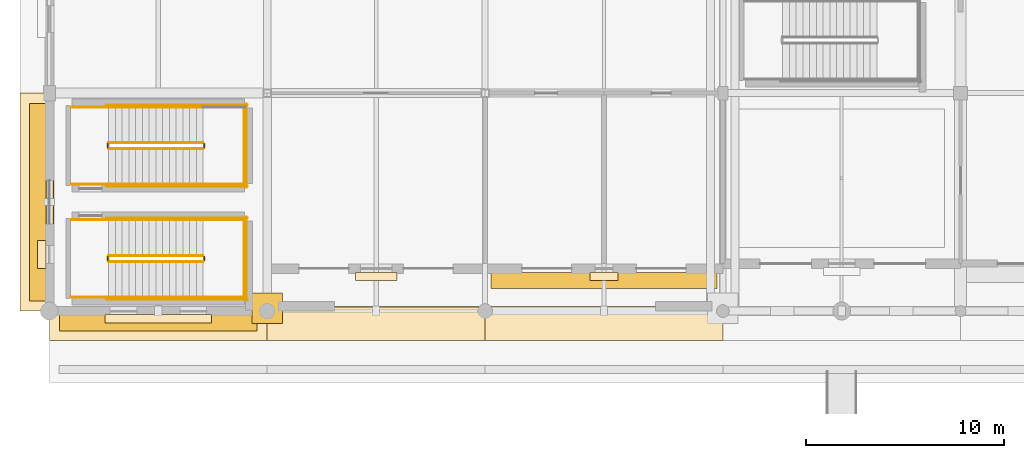
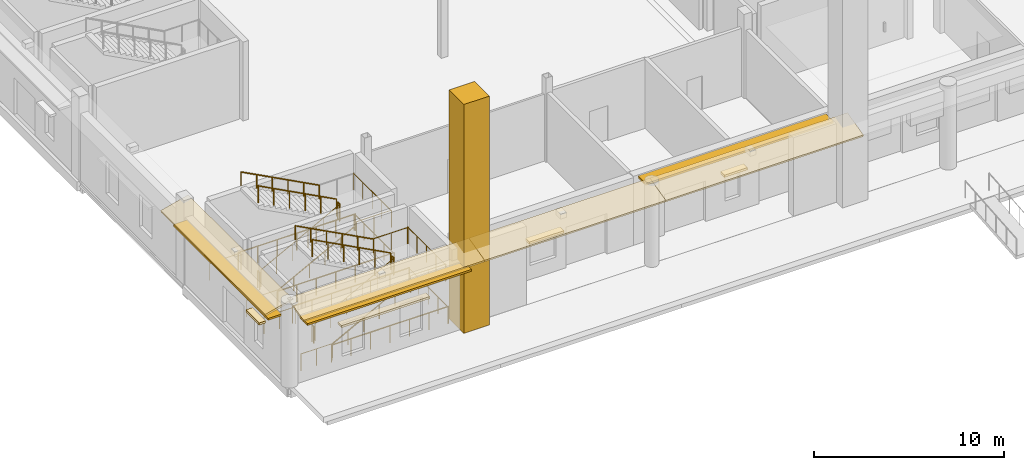
# One storey, part 94 of 120: 27 railings, 9 coverings, 3 shading devices.
"""IFC4 building model written with IfcOpenShell, lengths in metres."""

from ifc_helpers import new_model, si_unit, direction, frame, origin, origin_2d, place, context, subcontext, project, spatial, polyline, rectangle, circle, outline, extrude, material, layer, layer_set, type_object, element, save


model = new_model("IFC4")

# Units and contexts
model_context = context("Model", 3, precision=1e-05, world=origin(), true_north=direction((0.0, 1.0)))
body_context = subcontext(model_context, "Body", "Model", "MODEL_VIEW")
ifc_project = project(units=[si_unit("LENGTHUNIT", "METRE"), si_unit("AREAUNIT", "SQUARE_METRE"), si_unit("VOLUMEUNIT", "CUBIC_METRE"), si_unit("PLANEANGLEUNIT", "RADIAN"), si_unit("MASSUNIT", "GRAM", prefix="KILO")], contexts=[model_context])

# Site, building, storey
site_placement = place(None, origin())
site = spatial("IfcSite", under=ifc_project, at=site_placement, CompositionType="ELEMENT")
building_placement = place(site_placement, origin())
building = spatial("IfcBuilding", under=site, at=building_placement, Name="Luwafu Chhajja Arena", CompositionType="ELEMENT")
storey_placement = place(building_placement, origin())
storey = spatial("IfcBuildingStorey", under=building, at=storey_placement, Name="L00", CompositionType="ELEMENT", Elevation=0.0)

# Coverings
ifc_material_1 = material(Name="Red laterite sandstone cladding", Category="masonry")
ifc_layer_1 = layer(ifc_material_1, 0.074951171875, Name="Red laterite sandstone cladding")
ifc_layer_set_1 = layer_set([ifc_layer_1], Name="Red laterite sandstone cladding")
covering_type = type_object("IfcCoveringType", Name="Dressed Red-Laterite Sandstone Cladding", PredefinedType="CLADDING", material=ifc_layer_set_1)
covering_1_placement = place(storey_placement, frame((11.0, 0.14990234375, 0.0), z_axis=(0.0, 0.0, 1.0), x_axis=(1.0, 0.0, 0.0)))
element("IfcCovering", 1, at=covering_1_placement, inside=storey, type_object=covering_type, Name="Pishtaq W Guldasta Sandstone Corner Pilaster", PredefinedType="CLADDING", context=body_context, shape_type="SweptSolid", body=[
    extrude(rectangle(XDim=1.550048828125, YDim=1.550048828125, at=origin_2d()), origin(), (0.0, 0.0, 1.0), 14.699951171875),
])
covering_2_placement = place(storey_placement, frame((0.0, 0.199951171875, 5.360107421875), z_axis=(0.0, -0.242635142566, 0.970117615339), x_axis=(1.0, 0.0, 0.0)))
element("IfcCovering", 2, at=covering_2_placement, inside=storey, type_object=covering_type, Name="L00 Continuous Sloped Sandstone Chhajja Eave 0001", PredefinedType="CLADDING", context=body_context, shape_type="SweptSolid", body=[
    extrude(outline(polyline([(0.0, 0.0), (11.0, 0.0), (11.0, -1.7316783182390405), (0.0, -1.7316783182390405), (0.0, 0.0)])), origin(), (0.0, 0.0, -1.0), 0.1298828125),
])
covering_3_placement = place(storey_placement, frame((0.199951171875, 0.0, 5.360107421875), z_axis=(-0.242635142566, 0.0, 0.970117615339), x_axis=(0.0, 1.0, 0.0)))
element("IfcCovering", 3, at=covering_3_placement, inside=storey, type_object=covering_type, Name="L00 Continuous Sloped Sandstone Chhajja Eave 0002", PredefinedType="CLADDING", context=body_context, shape_type="SweptSolid", body=[
    extrude(outline(polyline([(0.0, 0.0), (11.0, 0.0), (11.0, 1.7316783182390405), (0.0, 1.7316783182390405), (0.0, 0.0)])), origin(), (0.0, 0.0, -1.0), 0.1298828125),
])
covering_4_placement = place(storey_placement, frame((11.0, 0.199951171875, 5.360107421875), z_axis=(0.0, -0.242635142566, 0.970117615339), x_axis=(1.0, 0.0, 0.0)))
element("IfcCovering", 4, at=covering_4_placement, inside=storey, type_object=covering_type, Name="L00 Continuous Sloped Sandstone Chhajja Eave 0012", PredefinedType="CLADDING", context=body_context, shape_type="SweptSolid", body=[
    extrude(outline(polyline([(0.0, 0.0), (11.0, 0.0), (11.0, -1.7316783182390405), (0.0, -1.7316783182390405), (0.0, 0.0)])), origin(), (0.0, 0.0, -1.0), 0.1298828125),
])
covering_5_placement = place(storey_placement, frame((22.0, 0.199951171875, 5.360107421875), z_axis=(0.0, -0.242635142566, 0.970117615339), x_axis=(1.0, 0.0, 0.0)))
element("IfcCovering", 5, at=covering_5_placement, inside=storey, type_object=covering_type, Name="L00 Continuous Sloped Sandstone Chhajja Eave 0014", PredefinedType="CLADDING", context=body_context, shape_type="SweptSolid", body=[
    extrude(outline(polyline([(0.0, 0.0), (12.0, 0.0), (12.0, -1.7316783182390405), (0.0, -1.7316783182390405), (0.0, 0.0)])), origin(), (0.0, 0.0, -1.0), 0.1298828125),
])
covering_6_placement = place(storey_placement, frame((5.5, -0.385009765625, 2.93017578125), z_axis=(0.0, 0.0, 1.0), x_axis=(1.0, 0.0, 0.0)))
element("IfcCovering", 6, at=covering_6_placement, inside=storey, type_object=covering_type, Name="L00 Mughal Sandstone Window Chhajja Hood 0140", PredefinedType="CLADDING", context=body_context, shape_type="SweptSolid", body=[
    extrude(rectangle(XDim=5.3701171875, YDim=0.419921875, at=origin_2d()), origin(), (0.0, 0.0, 1.0), 0.139892578125),
])
covering_7_placement = place(storey_placement, frame((-0.385009765625, 2.860107421875, 2.6298828125), z_axis=(0.0, 0.0, 1.0), x_axis=(0.0, 1.0, 0.0)))
element("IfcCovering", 7, at=covering_7_placement, inside=storey, type_object=covering_type, Name="L00 Mughal Sandstone Window Chhajja Hood 0141", PredefinedType="CLADDING", context=body_context, shape_type="SweptSolid", body=[
    extrude(rectangle(XDim=1.39990234375, YDim=0.419921875, at=origin_2d()), origin(), (0.0, 0.0, 1.0), 0.139892578125),
])
covering_8_placement = place(storey_placement, frame((16.5, 1.75, 2.580078125), z_axis=(0.0, 0.0, 1.0), x_axis=(1.0, 0.0, 0.0)))
element("IfcCovering", 8, at=covering_8_placement, inside=storey, type_object=covering_type, Name="L00 Mughal Sandstone Window Chhajja Hood 0150", PredefinedType="CLADDING", context=body_context, shape_type="SweptSolid", body=[
    extrude(rectangle(XDim=2.10009765625, YDim=0.419921875, at=origin_2d()), origin(), (0.0, 0.0, 1.0), 0.139892578125),
])
covering_9_placement = place(storey_placement, frame((28.0, 1.75, 2.72998046875), z_axis=(0.0, 0.0, 1.0), x_axis=(1.0, 0.0, 0.0)))
element("IfcCovering", 9, at=covering_9_placement, inside=storey, type_object=covering_type, Name="L00 Mughal Sandstone Window Chhajja Hood 0152", PredefinedType="CLADDING", context=body_context, shape_type="SweptSolid", body=[
    extrude(rectangle(XDim=1.39990234375, YDim=0.419921875, at=origin_2d()), origin(), (0.0, 0.0, 1.0), 0.139892578125),
])

# Shading devices
ifc_material_2 = material(Name="Red laterite sandstone chhajja", Category="masonry")
ifc_layer_2 = layer(ifc_material_2, 0.1201171875, Name="Red laterite sandstone chhajja")
ifc_layer_set_2 = layer_set([ifc_layer_2], Name="Red laterite sandstone chhajja")
shading_device_type = type_object("IfcShadingDeviceType", Name="Sloped Red-Sandstone Chhajja Eave", PredefinedType="USERDEFINED", material=ifc_layer_set_2)
for number, where, z_axis, x_axis, name in (
    (10, (5.5, -0.5849609375, 4.1298828125), (0.0, 0.0, 1.0), (1.0, 0.0, 0.0), "L00 Sloped Red-Sandstone Chhajja Eave 001"),
    (11, (-0.5849609375, 5.5, 4.079833984375), (0.0, 0.0, 1.0), (0.0, 1.0, 0.0), "L00 Sloped Red-Sandstone Chhajja Eave 002"),
):
    element("IfcShadingDevice", number, at=place(storey_placement, frame(where, z_axis=z_axis, x_axis=x_axis)), inside=storey, type_object=shading_device_type, Name=name, ObjectType="CHHAJJA", PredefinedType="USERDEFINED", context=body_context, shape_type="SweptSolid", body=[
        extrude(rectangle(XDim=9.9599609375, YDim=0.820068359375, at=origin_2d()), origin(), (0.0, 0.0, 1.0), 0.1201171875),
    ])
shading_device_placement = place(storey_placement, frame((28.0, 1.550048828125, 4.209716796875), z_axis=(0.0, 0.0, 1.0), x_axis=(1.0, 0.0, 0.0)))
element("IfcShadingDevice", 12, at=shading_device_placement, inside=storey, type_object=shading_device_type, Name="L00 Sloped Red-Sandstone Chhajja Eave 008", ObjectType="CHHAJJA", PredefinedType="USERDEFINED", context=body_context, shape_type="SweptSolid", body=[
    extrude(rectangle(XDim=11.39990234375, YDim=0.820068359375, at=origin_2d()), origin(), (0.0, 0.0, 1.0), 0.1201171875),
])

# Railings
ifc_material_3 = material(Name="Stainless steel handrail", Category="steel")
railing_type_1 = type_object("IfcRailingType", Name="Stair Pitch Wall Handrail 920", PredefinedType="HANDRAIL", material=ifc_material_3)
railing_1_placement = place(storey_placement, frame((3.0, 0.699951171875, 0.179931640625)))
element("IfcRailing", 13, at=railing_1_placement, inside=storey, type_object=railing_type_1, Name="L00 ST-17 stair handrail 1", PredefinedType="HANDRAIL", context=body_context, shape_type="SweptSolid", body=[
    extrude(circle(Radius=0.02392578125, at=origin_2d()), frame((0.0, 0.0, 0.8759765625), z_axis=(0.883786813738, 0.0, 0.467889803119), x_axis=(0.0, 1.0, 0.0)), (0.0, 0.0, 1.0), 5.385986328125),
    extrude(circle(Radius=0.02099609375, at=origin_2d()), origin(), (0.0, 0.0, 1.0), 0.851806640625),
    extrude(circle(Radius=0.02099609375, at=origin_2d()), frame((0.951904296875, 0.0, 0.50390625)), (0.0, 0.0, 1.0), 0.851806640625),
    extrude(circle(Radius=0.02099609375, at=origin_2d()), frame((1.904052734375, 0.0, 1.008056640625)), (0.0, 0.0, 1.0), 0.851806640625),
    extrude(circle(Radius=0.02099609375, at=origin_2d()), frame((2.85595703125, 0.0, 1.511962890625)), (0.0, 0.0, 1.0), 0.851806640625),
    extrude(circle(Radius=0.02099609375, at=origin_2d()), frame((3.80810546875, 0.0, 2.01611328125)), (0.0, 0.0, 1.0), 0.851806640625),
    extrude(circle(Radius=0.02099609375, at=origin_2d()), frame((4.760009765625, 0.0, 2.52001953125)), (0.0, 0.0, 1.0), 0.851806640625),
])
railing_2_placement = place(storey_placement, frame((7.760009765625, 4.60009765625, 2.8798828125)))
element("IfcRailing", 14, at=railing_2_placement, inside=storey, type_object=railing_type_1, Name="L00 ST-17 stair handrail 2", PredefinedType="HANDRAIL", context=body_context, shape_type="SweptSolid", body=[
    extrude(circle(Radius=0.02392578125, at=origin_2d()), frame((0.0, 0.0, 0.8759765625), z_axis=(-0.883786813738, 0.0, 0.467889803119), x_axis=(0.0, -1.0, 0.0)), (0.0, 0.0, 1.0), 5.385986328125),
    extrude(circle(Radius=0.02099609375, at=origin_2d()), origin(), (0.0, 0.0, 1.0), 0.851806640625),
    extrude(circle(Radius=0.02099609375, at=origin_2d()), frame((-0.951904296875, 0.0, 0.50390625)), (0.0, 0.0, 1.0), 0.851806640625),
    extrude(circle(Radius=0.02099609375, at=origin_2d()), frame((-1.904052734375, 0.0, 1.008056640625)), (0.0, 0.0, 1.0), 0.851806640625),
    extrude(circle(Radius=0.02099609375, at=origin_2d()), frame((-2.85595703125, 0.0, 1.511962890625)), (0.0, 0.0, 1.0), 0.851806640625),
    extrude(circle(Radius=0.02099609375, at=origin_2d()), frame((-3.80810546875, 0.0, 2.01611328125)), (0.0, 0.0, 1.0), 0.851806640625),
    extrude(circle(Radius=0.02099609375, at=origin_2d()), frame((-4.760009765625, 0.0, 2.52001953125)), (0.0, 0.0, 1.0), 0.851806640625),
])
railing_3_placement = place(storey_placement, frame((3.0, 6.39990234375, 0.179931640625)))
element("IfcRailing", 15, at=railing_3_placement, inside=storey, type_object=railing_type_1, Name="L00 ST-18 stair handrail 1", PredefinedType="HANDRAIL", context=body_context, shape_type="SweptSolid", body=[
    extrude(circle(Radius=0.02392578125, at=origin_2d()), frame((0.0, 0.0, 0.8759765625), z_axis=(0.883786813738, 0.0, 0.467889803119), x_axis=(0.0, 1.0, 0.0)), (0.0, 0.0, 1.0), 5.385986328125),
    extrude(circle(Radius=0.02099609375, at=origin_2d()), origin(), (0.0, 0.0, 1.0), 0.851806640625),
    extrude(circle(Radius=0.02099609375, at=origin_2d()), frame((0.951904296875, 0.0, 0.50390625)), (0.0, 0.0, 1.0), 0.851806640625),
    extrude(circle(Radius=0.02099609375, at=origin_2d()), frame((1.904052734375, 0.0, 1.008056640625)), (0.0, 0.0, 1.0), 0.851806640625),
    extrude(circle(Radius=0.02099609375, at=origin_2d()), frame((2.85595703125, 0.0, 1.511962890625)), (0.0, 0.0, 1.0), 0.851806640625),
    extrude(circle(Radius=0.02099609375, at=origin_2d()), frame((3.80810546875, 0.0, 2.01611328125)), (0.0, 0.0, 1.0), 0.851806640625),
    extrude(circle(Radius=0.02099609375, at=origin_2d()), frame((4.760009765625, 0.0, 2.52001953125)), (0.0, 0.0, 1.0), 0.851806640625),
])
railing_4_placement = place(storey_placement, frame((7.760009765625, 10.300048828125, 2.8798828125)))
element("IfcRailing", 16, at=railing_4_placement, inside=storey, type_object=railing_type_1, Name="L00 ST-18 stair handrail 2", PredefinedType="HANDRAIL", context=body_context, shape_type="SweptSolid", body=[
    extrude(circle(Radius=0.02392578125, at=origin_2d()), frame((0.0, 0.0, 0.8759765625), z_axis=(-0.883786813738, 0.0, 0.467889803119), x_axis=(0.0, -1.0, 0.0)), (0.0, 0.0, 1.0), 5.385986328125),
    extrude(circle(Radius=0.02099609375, at=origin_2d()), origin(), (0.0, 0.0, 1.0), 0.851806640625),
    extrude(circle(Radius=0.02099609375, at=origin_2d()), frame((-0.951904296875, 0.0, 0.50390625)), (0.0, 0.0, 1.0), 0.851806640625),
    extrude(circle(Radius=0.02099609375, at=origin_2d()), frame((-1.904052734375, 0.0, 1.008056640625)), (0.0, 0.0, 1.0), 0.851806640625),
    extrude(circle(Radius=0.02099609375, at=origin_2d()), frame((-2.85595703125, 0.0, 1.511962890625)), (0.0, 0.0, 1.0), 0.851806640625),
    extrude(circle(Radius=0.02099609375, at=origin_2d()), frame((-3.80810546875, 0.0, 2.01611328125)), (0.0, 0.0, 1.0), 0.851806640625),
    extrude(circle(Radius=0.02099609375, at=origin_2d()), frame((-4.760009765625, 0.0, 2.52001953125)), (0.0, 0.0, 1.0), 0.851806640625),
])
ifc_material_4 = material(Name="Stainless steel balustrade", Category="steel")
railing_type_2 = type_object("IfcRailingType", Name="Stair and Terrace Guard Balustrade 1100", PredefinedType="BALUSTRADE", material=ifc_material_4)
railing_5_placement = place(storey_placement, frame((3.0, 2.5, 0.179931640625)))
element("IfcRailing", 17, at=railing_5_placement, inside=storey, type_object=railing_type_2, Name="L00 ST-17 stair guard 1", PredefinedType="BALUSTRADE", context=body_context, shape_type="SweptSolid", body=[
    extrude(circle(Radius=0.02392578125, at=origin_2d()), frame((0.0, 0.0, 1.076171875), z_axis=(0.883786813738, 0.0, 0.467889803119), x_axis=(0.0, 1.0, 0.0)), (0.0, 0.0, 1.0), 5.385986328125),
    extrude(circle(Radius=0.02099609375, at=origin_2d()), origin(), (0.0, 0.0, 1.0), 1.052001953125),
    extrude(circle(Radius=0.02099609375, at=origin_2d()), frame((0.951904296875, 0.0, 0.50390625)), (0.0, 0.0, 1.0), 1.052001953125),
    extrude(circle(Radius=0.02099609375, at=origin_2d()), frame((1.904052734375, 0.0, 1.008056640625)), (0.0, 0.0, 1.0), 1.052001953125),
    extrude(circle(Radius=0.02099609375, at=origin_2d()), frame((2.85595703125, 0.0, 1.511962890625)), (0.0, 0.0, 1.0), 1.052001953125),
    extrude(circle(Radius=0.02099609375, at=origin_2d()), frame((3.80810546875, 0.0, 2.01611328125)), (0.0, 0.0, 1.0), 1.052001953125),
    extrude(circle(Radius=0.02099609375, at=origin_2d()), frame((4.760009765625, 0.0, 2.52001953125)), (0.0, 0.0, 1.0), 1.052001953125),
])
railing_6_placement = place(storey_placement, frame((7.81005859375, 2.550048828125, 2.699951171875)))
element("IfcRailing", 18, at=railing_6_placement, inside=storey, type_object=railing_type_2, Name="L00 ST-17 stair guard 2", PredefinedType="BALUSTRADE", context=body_context, shape_type="SweptSolid", body=[
    extrude(circle(Radius=0.02392578125, at=origin_2d()), frame((0.0, 0.0, 1.076171875), z_axis=(0.0, 1.0, 0.0), x_axis=(-1.0, 0.0, 0.0)), (0.0, 0.0, 1.0), 0.199951171875),
    extrude(circle(Radius=0.02099609375, at=origin_2d()), origin(), (0.0, 0.0, 1.0), 1.052001953125),
    extrude(circle(Radius=0.02099609375, at=origin_2d()), frame((0.0, 0.199951171875, 0.0)), (0.0, 0.0, 1.0), 1.052001953125),
])
for number, where, name in (
    (19, (7.760009765625, 0.699951171875, 2.699951171875), "L00 ST-17 stair guard 3"),
    (20, (7.760009765625, 4.60009765625, 2.699951171875), "L00 ST-17 stair guard 4"),
):
    element("IfcRailing", number, at=place(storey_placement, frame(where)), inside=storey, type_object=railing_type_2, Name=name, PredefinedType="BALUSTRADE", context=body_context, shape_type="SweptSolid", body=[
        extrude(circle(Radius=0.02392578125, at=origin_2d()), frame((0.0, 0.0, 1.076171875), z_axis=(1.0, 0.0, 0.0), x_axis=(0.0, 1.0, 0.0)), (0.0, 0.0, 1.0), 2.139892578125),
        extrude(circle(Radius=0.02099609375, at=origin_2d()), origin(), (0.0, 0.0, 1.0), 1.052001953125),
        extrude(circle(Radius=0.02099609375, at=origin_2d()), frame((1.06982421875, 0.0, 0.0)), (0.0, 0.0, 1.0), 1.052001953125),
        extrude(circle(Radius=0.02099609375, at=origin_2d()), frame((2.139892578125, 0.0, 0.0)), (0.0, 0.0, 1.0), 1.052001953125),
    ])
railing_7_placement = place(storey_placement, frame((9.85009765625, 0.64990234375, 2.699951171875)))
element("IfcRailing", 21, at=railing_7_placement, inside=storey, type_object=railing_type_2, Name="L00 ST-17 stair guard 5", PredefinedType="BALUSTRADE", context=body_context, shape_type="SweptSolid", body=[
    extrude(circle(Radius=0.02392578125, at=origin_2d()), frame((0.0, 0.0, 1.076171875), z_axis=(0.0, 1.0, 0.0), x_axis=(-1.0, 0.0, 0.0)), (0.0, 0.0, 1.0), 4.0),
    extrude(circle(Radius=0.02099609375, at=origin_2d()), origin(), (0.0, 0.0, 1.0), 1.052001953125),
    extrude(circle(Radius=0.02099609375, at=origin_2d()), frame((0.0, 1.0, 0.0)), (0.0, 0.0, 1.0), 1.052001953125),
    extrude(circle(Radius=0.02099609375, at=origin_2d()), frame((0.0, 2.0, 0.0)), (0.0, 0.0, 1.0), 1.052001953125),
    extrude(circle(Radius=0.02099609375, at=origin_2d()), frame((0.0, 3.0, 0.0)), (0.0, 0.0, 1.0), 1.052001953125),
    extrude(circle(Radius=0.02099609375, at=origin_2d()), frame((0.0, 4.0, 0.0)), (0.0, 0.0, 1.0), 1.052001953125),
])
railing_8_placement = place(storey_placement, frame((7.760009765625, 2.800048828125, 2.8798828125)))
element("IfcRailing", 22, at=railing_8_placement, inside=storey, type_object=railing_type_2, Name="L00 ST-17 stair guard 6", PredefinedType="BALUSTRADE", context=body_context, shape_type="SweptSolid", body=[
    extrude(circle(Radius=0.02392578125, at=origin_2d()), frame((0.0, 0.0, 1.076171875), z_axis=(-0.883786813738, 0.0, 0.467889803119), x_axis=(0.0, -1.0, 0.0)), (0.0, 0.0, 1.0), 5.385986328125),
    extrude(circle(Radius=0.02099609375, at=origin_2d()), origin(), (0.0, 0.0, 1.0), 1.052001953125),
    extrude(circle(Radius=0.02099609375, at=origin_2d()), frame((-0.951904296875, 0.0, 0.50390625)), (0.0, 0.0, 1.0), 1.052001953125),
    extrude(circle(Radius=0.02099609375, at=origin_2d()), frame((-1.904052734375, 0.0, 1.008056640625)), (0.0, 0.0, 1.0), 1.052001953125),
    extrude(circle(Radius=0.02099609375, at=origin_2d()), frame((-2.85595703125, 0.0, 1.511962890625)), (0.0, 0.0, 1.0), 1.052001953125),
    extrude(circle(Radius=0.02099609375, at=origin_2d()), frame((-3.80810546875, 0.0, 2.01611328125)), (0.0, 0.0, 1.0), 1.052001953125),
    extrude(circle(Radius=0.02099609375, at=origin_2d()), frame((-4.760009765625, 0.0, 2.52001953125)), (0.0, 0.0, 1.0), 1.052001953125),
])
railing_9_placement = place(storey_placement, frame((2.949951171875, 2.550048828125, 0.0)))
element("IfcRailing", 23, at=railing_9_placement, inside=storey, type_object=railing_type_2, Name="L00 ST-17 stair guard 7", PredefinedType="BALUSTRADE", context=body_context, shape_type="SweptSolid", body=[
    extrude(circle(Radius=0.02392578125, at=origin_2d()), frame((0.0, 0.0, 1.076171875), z_axis=(0.0, 1.0, 0.0), x_axis=(-1.0, 0.0, 0.0)), (0.0, 0.0, 1.0), 0.199951171875),
    extrude(circle(Radius=0.02099609375, at=origin_2d()), origin(), (0.0, 0.0, 1.0), 1.052001953125),
    extrude(circle(Radius=0.02099609375, at=origin_2d()), frame((0.0, 0.199951171875, 0.0)), (0.0, 0.0, 1.0), 1.052001953125),
])
for number, where, name in (
    (24, (1.10009765625, 0.699951171875, 0.0), "L00 ST-17 stair guard 8"),
    (25, (1.10009765625, 4.60009765625, 0.0), "L00 ST-17 stair guard 9"),
):
    element("IfcRailing", number, at=place(storey_placement, frame(where)), inside=storey, type_object=railing_type_2, Name=name, PredefinedType="BALUSTRADE", context=body_context, shape_type="SweptSolid", body=[
        extrude(circle(Radius=0.02392578125, at=origin_2d()), frame((0.0, 0.0, 1.076171875), z_axis=(1.0, 0.0, 0.0), x_axis=(0.0, 1.0, 0.0)), (0.0, 0.0, 1.0), 1.89990234375),
        extrude(circle(Radius=0.02099609375, at=origin_2d()), origin(), (0.0, 0.0, 1.0), 1.052001953125),
        extrude(circle(Radius=0.02099609375, at=origin_2d()), frame((0.949951171875, 0.0, 0.0)), (0.0, 0.0, 1.0), 1.052001953125),
        extrude(circle(Radius=0.02099609375, at=origin_2d()), frame((1.89990234375, 0.0, 0.0)), (0.0, 0.0, 1.0), 1.052001953125),
    ])
for number, where, name in (
    (26, (2.89990234375, 0.60009765625, 0.0), "L00 ST-17 stair guard 10"),
    (27, (2.89990234375, 4.699951171875, 0.0), "L00 ST-17 stair guard 11"),
):
    element("IfcRailing", number, at=place(storey_placement, frame(where)), inside=storey, type_object=railing_type_2, Name=name, PredefinedType="BALUSTRADE", context=body_context, shape_type="SweptSolid", body=[
        extrude(circle(Radius=0.02392578125, at=origin_2d()), frame((0.0, 0.0, 1.076171875), z_axis=(1.0, 0.0, 0.0), x_axis=(0.0, 1.0, 0.0)), (0.0, 0.0, 1.0), 7.10009765625),
        extrude(circle(Radius=0.02099609375, at=origin_2d()), origin(), (0.0, 0.0, 1.0), 1.052001953125),
        extrude(circle(Radius=0.02099609375, at=origin_2d()), frame((1.183349609375, 0.0, 0.0)), (0.0, 0.0, 1.0), 1.052001953125),
        extrude(circle(Radius=0.02099609375, at=origin_2d()), frame((2.36669921875, 0.0, 0.0)), (0.0, 0.0, 1.0), 1.052001953125),
        extrude(circle(Radius=0.02099609375, at=origin_2d()), frame((3.550048828125, 0.0, 0.0)), (0.0, 0.0, 1.0), 1.052001953125),
        extrude(circle(Radius=0.02099609375, at=origin_2d()), frame((4.7333984375, 0.0, 0.0)), (0.0, 0.0, 1.0), 1.052001953125),
        extrude(circle(Radius=0.02099609375, at=origin_2d()), frame((5.916748046875, 0.0, 0.0)), (0.0, 0.0, 1.0), 1.052001953125),
        extrude(circle(Radius=0.02099609375, at=origin_2d()), frame((7.10009765625, 0.0, 0.0)), (0.0, 0.0, 1.0), 1.052001953125),
    ])
railing_10_placement = place(storey_placement, frame((9.949951171875, 0.550048828125, 0.0)))
element("IfcRailing", 28, at=railing_10_placement, inside=storey, type_object=railing_type_2, Name="L00 ST-17 stair guard 12", PredefinedType="BALUSTRADE", context=body_context, shape_type="SweptSolid", body=[
    extrude(circle(Radius=0.02392578125, at=origin_2d()), frame((0.0, 0.0, 1.076171875), z_axis=(0.0, 1.0, 0.0), x_axis=(-1.0, 0.0, 0.0)), (0.0, 0.0, 1.0), 4.199951171875),
    extrude(circle(Radius=0.02099609375, at=origin_2d()), origin(), (0.0, 0.0, 1.0), 1.052001953125),
    extrude(circle(Radius=0.02099609375, at=origin_2d()), frame((0.0, 1.050048828125, 0.0)), (0.0, 0.0, 1.0), 1.052001953125),
    extrude(circle(Radius=0.02099609375, at=origin_2d()), frame((0.0, 2.10009765625, 0.0)), (0.0, 0.0, 1.0), 1.052001953125),
    extrude(circle(Radius=0.02099609375, at=origin_2d()), frame((0.0, 3.14990234375, 0.0)), (0.0, 0.0, 1.0), 1.052001953125),
    extrude(circle(Radius=0.02099609375, at=origin_2d()), frame((0.0, 4.199951171875, 0.0)), (0.0, 0.0, 1.0), 1.052001953125),
])
railing_11_placement = place(storey_placement, frame((3.0, 8.199951171875, 0.179931640625)))
element("IfcRailing", 29, at=railing_11_placement, inside=storey, type_object=railing_type_2, Name="L00 ST-18 stair guard 1", PredefinedType="BALUSTRADE", context=body_context, shape_type="SweptSolid", body=[
    extrude(circle(Radius=0.02392578125, at=origin_2d()), frame((0.0, 0.0, 1.076171875), z_axis=(0.883786813738, 0.0, 0.467889803119), x_axis=(0.0, 1.0, 0.0)), (0.0, 0.0, 1.0), 5.385986328125),
    extrude(circle(Radius=0.02099609375, at=origin_2d()), origin(), (0.0, 0.0, 1.0), 1.052001953125),
    extrude(circle(Radius=0.02099609375, at=origin_2d()), frame((0.951904296875, 0.0, 0.50390625)), (0.0, 0.0, 1.0), 1.052001953125),
    extrude(circle(Radius=0.02099609375, at=origin_2d()), frame((1.904052734375, 0.0, 1.008056640625)), (0.0, 0.0, 1.0), 1.052001953125),
    extrude(circle(Radius=0.02099609375, at=origin_2d()), frame((2.85595703125, 0.0, 1.511962890625)), (0.0, 0.0, 1.0), 1.052001953125),
    extrude(circle(Radius=0.02099609375, at=origin_2d()), frame((3.80810546875, 0.0, 2.01611328125)), (0.0, 0.0, 1.0), 1.052001953125),
    extrude(circle(Radius=0.02099609375, at=origin_2d()), frame((4.760009765625, 0.0, 2.52001953125)), (0.0, 0.0, 1.0), 1.052001953125),
])
railing_12_placement = place(storey_placement, frame((7.81005859375, 8.25, 2.699951171875)))
element("IfcRailing", 30, at=railing_12_placement, inside=storey, type_object=railing_type_2, Name="L00 ST-18 stair guard 2", PredefinedType="BALUSTRADE", context=body_context, shape_type="SweptSolid", body=[
    extrude(circle(Radius=0.02392578125, at=origin_2d()), frame((0.0, 0.0, 1.076171875), z_axis=(0.0, 1.0, 0.0), x_axis=(-1.0, 0.0, 0.0)), (0.0, 0.0, 1.0), 0.199951171875),
    extrude(circle(Radius=0.02099609375, at=origin_2d()), origin(), (0.0, 0.0, 1.0), 1.052001953125),
    extrude(circle(Radius=0.02099609375, at=origin_2d()), frame((0.0, 0.199951171875, 0.0)), (0.0, 0.0, 1.0), 1.052001953125),
])
railing_13_placement = place(storey_placement, frame((7.760009765625, 6.39990234375, 2.699951171875)))
element("IfcRailing", 31, at=railing_13_placement, inside=storey, type_object=railing_type_2, Name="L00 ST-18 stair guard 3", PredefinedType="BALUSTRADE", context=body_context, shape_type="SweptSolid", body=[
    extrude(circle(Radius=0.02392578125, at=origin_2d()), frame((0.0, 0.0, 1.076171875), z_axis=(1.0, 0.0, 0.0), x_axis=(0.0, 1.0, 0.0)), (0.0, 0.0, 1.0), 2.139892578125),
    extrude(circle(Radius=0.02099609375, at=origin_2d()), origin(), (0.0, 0.0, 1.0), 1.052001953125),
    extrude(circle(Radius=0.02099609375, at=origin_2d()), frame((1.06982421875, 0.0, 0.0)), (0.0, 0.0, 1.0), 1.052001953125),
    extrude(circle(Radius=0.02099609375, at=origin_2d()), frame((2.139892578125, 0.0, 0.0)), (0.0, 0.0, 1.0), 1.052001953125),
])
railing_14_placement = place(storey_placement, frame((9.85009765625, 6.35009765625, 2.699951171875)))
element("IfcRailing", 32, at=railing_14_placement, inside=storey, type_object=railing_type_2, Name="L00 ST-18 stair guard 5", PredefinedType="BALUSTRADE", context=body_context, shape_type="SweptSolid", body=[
    extrude(circle(Radius=0.02392578125, at=origin_2d()), frame((0.0, 0.0, 1.076171875), z_axis=(0.0, 1.0, 0.0), x_axis=(-1.0, 0.0, 0.0)), (0.0, 0.0, 1.0), 4.0),
    extrude(circle(Radius=0.02099609375, at=origin_2d()), origin(), (0.0, 0.0, 1.0), 1.052001953125),
    extrude(circle(Radius=0.02099609375, at=origin_2d()), frame((0.0, 1.0, 0.0)), (0.0, 0.0, 1.0), 1.052001953125),
    extrude(circle(Radius=0.02099609375, at=origin_2d()), frame((0.0, 2.0, 0.0)), (0.0, 0.0, 1.0), 1.052001953125),
    extrude(circle(Radius=0.02099609375, at=origin_2d()), frame((0.0, 3.0, 0.0)), (0.0, 0.0, 1.0), 1.052001953125),
    extrude(circle(Radius=0.02099609375, at=origin_2d()), frame((0.0, 4.0, 0.0)), (0.0, 0.0, 1.0), 1.052001953125),
])
railing_15_placement = place(storey_placement, frame((7.760009765625, 8.5, 2.8798828125)))
element("IfcRailing", 33, at=railing_15_placement, inside=storey, type_object=railing_type_2, Name="L00 ST-18 stair guard 6", PredefinedType="BALUSTRADE", context=body_context, shape_type="SweptSolid", body=[
    extrude(circle(Radius=0.02392578125, at=origin_2d()), frame((0.0, 0.0, 1.076171875), z_axis=(-0.883786813738, 0.0, 0.467889803119), x_axis=(0.0, -1.0, 0.0)), (0.0, 0.0, 1.0), 5.385986328125),
    extrude(circle(Radius=0.02099609375, at=origin_2d()), origin(), (0.0, 0.0, 1.0), 1.052001953125),
    extrude(circle(Radius=0.02099609375, at=origin_2d()), frame((-0.951904296875, 0.0, 0.50390625)), (0.0, 0.0, 1.0), 1.052001953125),
    extrude(circle(Radius=0.02099609375, at=origin_2d()), frame((-1.904052734375, 0.0, 1.008056640625)), (0.0, 0.0, 1.0), 1.052001953125),
    extrude(circle(Radius=0.02099609375, at=origin_2d()), frame((-2.85595703125, 0.0, 1.511962890625)), (0.0, 0.0, 1.0), 1.052001953125),
    extrude(circle(Radius=0.02099609375, at=origin_2d()), frame((-3.80810546875, 0.0, 2.01611328125)), (0.0, 0.0, 1.0), 1.052001953125),
    extrude(circle(Radius=0.02099609375, at=origin_2d()), frame((-4.760009765625, 0.0, 2.52001953125)), (0.0, 0.0, 1.0), 1.052001953125),
])
railing_16_placement = place(storey_placement, frame((2.949951171875, 8.25, 0.0)))
element("IfcRailing", 34, at=railing_16_placement, inside=storey, type_object=railing_type_2, Name="L00 ST-18 stair guard 7", PredefinedType="BALUSTRADE", context=body_context, shape_type="SweptSolid", body=[
    extrude(circle(Radius=0.02392578125, at=origin_2d()), frame((0.0, 0.0, 1.076171875), z_axis=(0.0, 1.0, 0.0), x_axis=(-1.0, 0.0, 0.0)), (0.0, 0.0, 1.0), 0.199951171875),
    extrude(circle(Radius=0.02099609375, at=origin_2d()), origin(), (0.0, 0.0, 1.0), 1.052001953125),
    extrude(circle(Radius=0.02099609375, at=origin_2d()), frame((0.0, 0.199951171875, 0.0)), (0.0, 0.0, 1.0), 1.052001953125),
])
for number, where, name in (
    (35, (1.10009765625, 6.39990234375, 0.0), "L00 ST-18 stair guard 8"),
    (36, (1.10009765625, 10.300048828125, 0.0), "L00 ST-18 stair guard 9"),
):
    element("IfcRailing", number, at=place(storey_placement, frame(where)), inside=storey, type_object=railing_type_2, Name=name, PredefinedType="BALUSTRADE", context=body_context, shape_type="SweptSolid", body=[
        extrude(circle(Radius=0.02392578125, at=origin_2d()), frame((0.0, 0.0, 1.076171875), z_axis=(1.0, 0.0, 0.0), x_axis=(0.0, 1.0, 0.0)), (0.0, 0.0, 1.0), 1.89990234375),
        extrude(circle(Radius=0.02099609375, at=origin_2d()), origin(), (0.0, 0.0, 1.0), 1.052001953125),
        extrude(circle(Radius=0.02099609375, at=origin_2d()), frame((0.949951171875, 0.0, 0.0)), (0.0, 0.0, 1.0), 1.052001953125),
        extrude(circle(Radius=0.02099609375, at=origin_2d()), frame((1.89990234375, 0.0, 0.0)), (0.0, 0.0, 1.0), 1.052001953125),
    ])
for number, where, name in (
    (37, (2.89990234375, 6.300048828125, 0.0), "L00 ST-18 stair guard 10"),
    (38, (2.89990234375, 10.39990234375, 0.0), "L00 ST-18 stair guard 11"),
):
    element("IfcRailing", number, at=place(storey_placement, frame(where)), inside=storey, type_object=railing_type_2, Name=name, PredefinedType="BALUSTRADE", context=body_context, shape_type="SweptSolid", body=[
        extrude(circle(Radius=0.02392578125, at=origin_2d()), frame((0.0, 0.0, 1.076171875), z_axis=(1.0, 0.0, 0.0), x_axis=(0.0, 1.0, 0.0)), (0.0, 0.0, 1.0), 7.10009765625),
        extrude(circle(Radius=0.02099609375, at=origin_2d()), origin(), (0.0, 0.0, 1.0), 1.052001953125),
        extrude(circle(Radius=0.02099609375, at=origin_2d()), frame((1.183349609375, 0.0, 0.0)), (0.0, 0.0, 1.0), 1.052001953125),
        extrude(circle(Radius=0.02099609375, at=origin_2d()), frame((2.36669921875, 0.0, 0.0)), (0.0, 0.0, 1.0), 1.052001953125),
        extrude(circle(Radius=0.02099609375, at=origin_2d()), frame((3.550048828125, 0.0, 0.0)), (0.0, 0.0, 1.0), 1.052001953125),
        extrude(circle(Radius=0.02099609375, at=origin_2d()), frame((4.7333984375, 0.0, 0.0)), (0.0, 0.0, 1.0), 1.052001953125),
        extrude(circle(Radius=0.02099609375, at=origin_2d()), frame((5.916748046875, 0.0, 0.0)), (0.0, 0.0, 1.0), 1.052001953125),
        extrude(circle(Radius=0.02099609375, at=origin_2d()), frame((7.10009765625, 0.0, 0.0)), (0.0, 0.0, 1.0), 1.052001953125),
    ])
railing_17_placement = place(storey_placement, frame((9.949951171875, 6.25, 0.0)))
element("IfcRailing", 39, at=railing_17_placement, inside=storey, type_object=railing_type_2, Name="L00 ST-18 stair guard 12", PredefinedType="BALUSTRADE", context=body_context, shape_type="SweptSolid", body=[
    extrude(circle(Radius=0.02392578125, at=origin_2d()), frame((0.0, 0.0, 1.076171875), z_axis=(0.0, 1.0, 0.0), x_axis=(-1.0, 0.0, 0.0)), (0.0, 0.0, 1.0), 4.199951171875),
    extrude(circle(Radius=0.02099609375, at=origin_2d()), origin(), (0.0, 0.0, 1.0), 1.052001953125),
    extrude(circle(Radius=0.02099609375, at=origin_2d()), frame((0.0, 1.050048828125, 0.0)), (0.0, 0.0, 1.0), 1.052001953125),
    extrude(circle(Radius=0.02099609375, at=origin_2d()), frame((0.0, 2.10009765625, 0.0)), (0.0, 0.0, 1.0), 1.052001953125),
    extrude(circle(Radius=0.02099609375, at=origin_2d()), frame((0.0, 3.14990234375, 0.0)), (0.0, 0.0, 1.0), 1.052001953125),
    extrude(circle(Radius=0.02099609375, at=origin_2d()), frame((0.0, 4.199951171875, 0.0)), (0.0, 0.0, 1.0), 1.052001953125),
])

save(model, "model.ifc")
